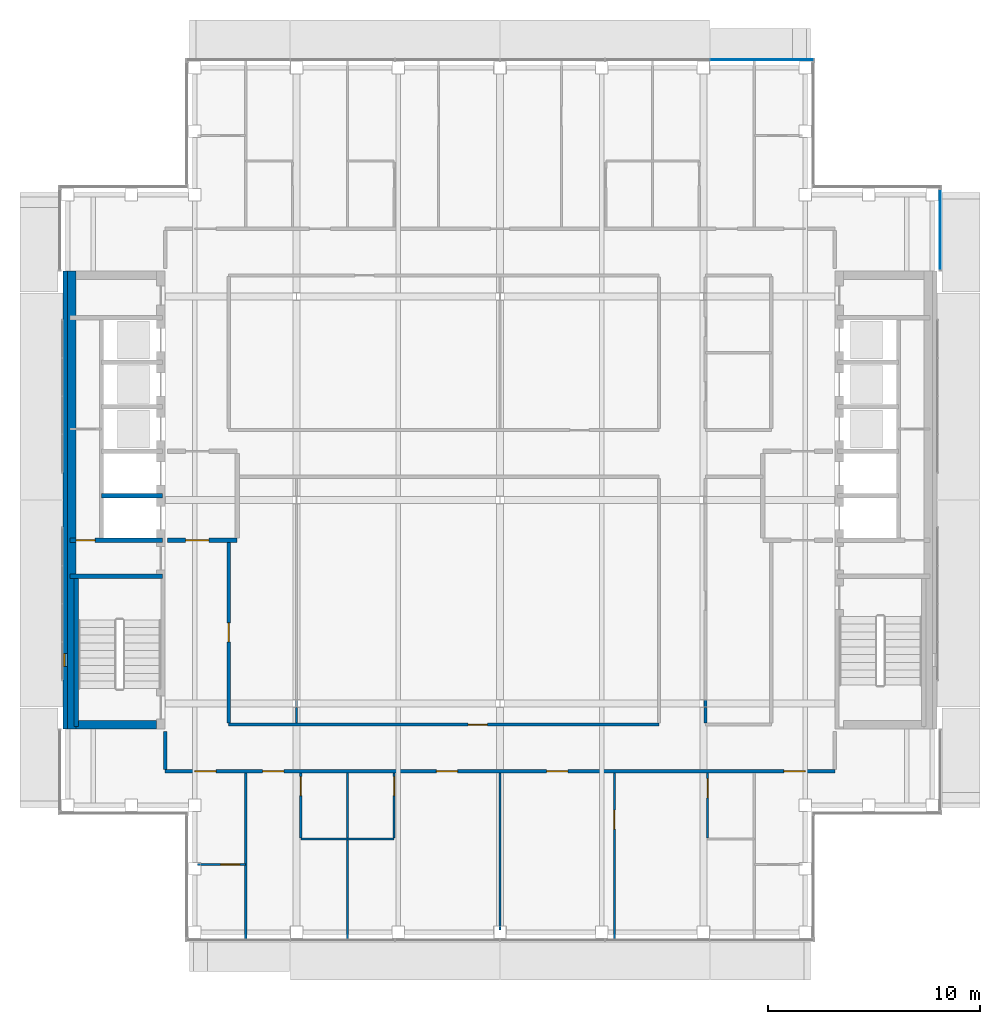
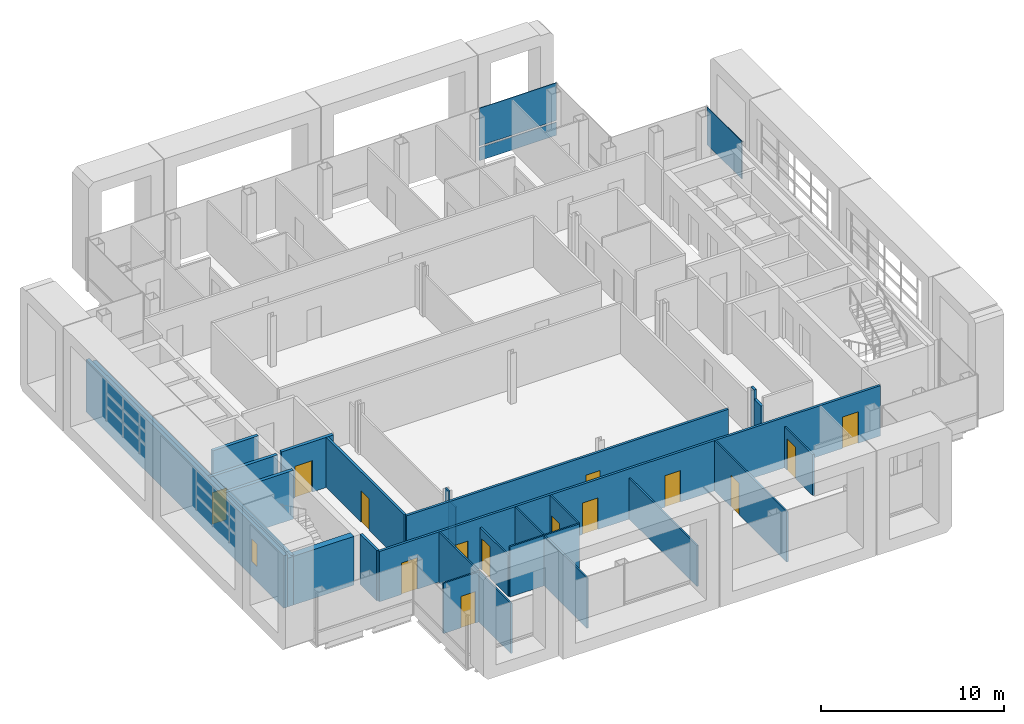
# One storey, part 9 of 21: 26 walls, 14 doors, 3 plates, 1 window, 15 openings, 2 elements without a shape of their own.
"""IFC4 building model written with IfcOpenShell, lengths in metres."""

from ifc_helpers import new_model, si_unit, direction, frame, frame_2d, origin, origin_2d, place, context, subcontext, project, spatial, rectangle, extrude, material, layer, layer_set, type_object, element, fill, aggregate, save


model = new_model("IFC4")

# Units and contexts
model_context = context("Model", 3, precision=1e-05, world=origin(), true_north=direction((0.0, 1.0)))
body_context = subcontext(model_context, "Body", "Model", "MODEL_VIEW")
ifc_project = project(units=[si_unit("LENGTHUNIT", "METRE"), si_unit("AREAUNIT", "SQUARE_METRE"), si_unit("VOLUMEUNIT", "CUBIC_METRE"), si_unit("PLANEANGLEUNIT", "RADIAN"), si_unit("MASSUNIT", "GRAM", prefix="KILO")], contexts=[model_context])

# Site, building, storey
site_placement = place(None, origin())
site = spatial("IfcSite", under=ifc_project, at=site_placement, CompositionType="ELEMENT")
building_placement = place(site_placement, origin())
building = spatial("IfcBuilding", under=site, at=building_placement, Name="Cobrizo Arcos Hotel Tower", CompositionType="ELEMENT")
storey_placement = place(building_placement, frame((0.0, 0.0, 248.0)))
storey = spatial("IfcBuildingStorey", under=building, at=storey_placement, Name="L65", CompositionType="ELEMENT", Elevation=248.0)

# Curtain wall, plate
ifc_material_1 = material(Name="Aluminium 6063-T6 anodised bronze", Category="aluminium")
curtain_wall_type = type_object("IfcCurtainWallType", Name="CW-A guest facade", PredefinedType="NOTDEFINED", material=ifc_material_1)
curtain_wall_1_placement = place(storey_placement, origin())
curtain_wall_1 = element("IfcCurtainWall", 1, at=curtain_wall_1_placement, inside=storey, type_object=curtain_wall_type, Name="CW-A L65 E face", PredefinedType="NOTDEFINED")
ifc_material_2 = material(Name="Glass clear laminated low-e", Category="glass")
ifc_layer_1 = layer(ifc_material_2, 0.0400390625)
ifc_layer_set_1 = layer_set([ifc_layer_1], Name="CW-A glass panel")
plate_type_1 = type_object("IfcPlateType", Name="CW-A glass panel", PredefinedType="CURTAIN_PANEL", material=ifc_layer_set_1)
plate_1_placement = place(storey_placement, frame((20.77490234375, 12.75, 0.990234375), z_axis=(0.0, 0.0, 1.0), x_axis=(0.0, 1.0, 0.0)))
plate_1 = element("IfcPlate", 2, at=plate_1_placement, type_object=plate_type_1, Name="CW-A glass panel 2069", PredefinedType="CURTAIN_PANEL", context=body_context, shape_type="SweptSolid", body=[
    extrude(rectangle(XDim=3.780029296875, YDim=0.0400390625, at=origin_2d()), origin(), (0.0, 0.0, 1.0), 2.510009765625),
])
aggregate(curtain_wall_1, [plate_1])

# Curtain wall, plates
curtain_wall_2_placement = place(storey_placement, origin())
curtain_wall_2 = element("IfcCurtainWall", 3, at=curtain_wall_2_placement, inside=storey, type_object=curtain_wall_type, Name="CW-A L65 N face", PredefinedType="NOTDEFINED")
plate_2_placement = place(storey_placement, frame((12.360107421875, 20.77490234375, 0.990234375), z_axis=(0.0, 0.0, 1.0), x_axis=(-1.0, 0.0, 0.0)))
plate_2 = element("IfcPlate", 4, at=plate_2_placement, type_object=plate_type_1, Name="CW-A glass panel 2072", PredefinedType="CURTAIN_PANEL", context=body_context, shape_type="SweptSolid", body=[
    extrude(rectangle(XDim=4.860107421875, YDim=0.0400390625, at=origin_2d()), origin(), (0.0, 0.0, 1.0), 2.510009765625),
])
ifc_material_3 = material(Name="Aluminium composite panel pale metal", Category="aluminium")
ifc_layer_2 = layer(ifc_material_3, 0.0400390625)
ifc_layer_set_2 = layer_set([ifc_layer_2], Name="CW-A spandrel panel")
plate_type_2 = type_object("IfcPlateType", Name="CW-A spandrel panel", PredefinedType="CURTAIN_PANEL", material=ifc_layer_set_2)
plate_3_placement = place(storey_placement, frame((12.360107421875, 20.77490234375, 0.0), z_axis=(0.0, 0.0, 1.0), x_axis=(-1.0, 0.0, 0.0)))
plate_3 = element("IfcPlate", 5, at=plate_3_placement, type_object=plate_type_2, Name="CW-A spandrel panel 2072", PredefinedType="CURTAIN_PANEL", context=body_context, shape_type="SweptSolid", body=[
    extrude(rectangle(XDim=4.860107421875, YDim=0.0400390625, at=origin_2d()), origin(), (0.0, 0.0, 1.0), 0.8701171875),
])
aggregate(curtain_wall_2, [plate_3, plate_2])

# Wall, openings, doors
ifc_material_4 = material(Name="Gypsum board partition")
ifc_layer_3 = layer(ifc_material_4, 0.14990234375)
ifc_layer_set_3 = layer_set([ifc_layer_3], Name="Corridor wall EI 60 150")
wall_type_1 = type_object("IfcWallType", Name="Corridor wall EI 60 150", PredefinedType="PARTITIONING", material=ifc_layer_set_3)
wall_1_placement = place(storey_placement, frame((-15.800048828125, -12.800048828125, 0.0), z_axis=(0.0, 0.0, 1.0), x_axis=(1.0, 0.0, 0.0)))
wall_1 = element("IfcWall", 6, at=wall_1_placement, inside=storey, type_object=wall_type_1, Name="Partition 005", PredefinedType="PARTITIONING", context=body_context, shape_type="SweptSolid", body=[
    extrude(rectangle(XDim=31.60009765625, YDim=0.14990234375, at=frame_2d((15.800048828125, 0.0))), origin(), (0.0, 0.0, 1.0), 3.35009765625),
])
opening_1_placement = place(wall_1_placement, frame((4.60009765625, 0.0, 0.0)))
opening_1 = element("IfcOpeningElement", 7, at=opening_1_placement, cuts=wall_1, Name="Opening GD-03", PredefinedType="OPENING", context=body_context, shape_type="SweptSolid", body=[
    extrude(rectangle(XDim=1.0, YDim=2.10009765625, at=frame_2d((0.5, 1.050048828125))), frame((0.0, 0.0869140625, 0.0), z_axis=(0.0, -1.0, 0.0), x_axis=(1.0, 0.0, 0.0)), (0.0, 0.0, 1.0), 0.173828125),
])
opening_2_placement = place(wall_1_placement, frame((12.800048828125, 0.0, 0.0)))
opening_2 = element("IfcOpeningElement", 8, at=opening_2_placement, cuts=wall_1, Name="Opening GD-04", PredefinedType="OPENING", context=body_context, shape_type="SweptSolid", body=[
    extrude(rectangle(XDim=1.0, YDim=2.10009765625, at=frame_2d((0.5, 1.050048828125))), frame((0.0, 0.0869140625, 0.0), z_axis=(0.0, -1.0, 0.0), x_axis=(1.0, 0.0, 0.0)), (0.0, 0.0, 1.0), 0.173828125),
])
opening_3_placement = place(wall_1_placement, frame((18.0, 0.0, 0.0)))
opening_3 = element("IfcOpeningElement", 9, at=opening_3_placement, cuts=wall_1, Name="Opening GD-05", PredefinedType="OPENING", context=body_context, shape_type="SweptSolid", body=[
    extrude(rectangle(XDim=1.0, YDim=2.10009765625, at=frame_2d((0.5, 1.050048828125))), frame((0.0, 0.0869140625, 0.0), z_axis=(0.0, -1.0, 0.0), x_axis=(1.0, 0.0, 0.0)), (0.0, 0.0, 1.0), 0.173828125),
])
opening_4_placement = place(wall_1_placement, frame((1.39990234375, 0.0, 0.0)))
opening_4 = element("IfcOpeningElement", 10, at=opening_4_placement, cuts=wall_1, Name="Opening GD-06", PredefinedType="OPENING", context=body_context, shape_type="SweptSolid", body=[
    extrude(rectangle(XDim=1.0, YDim=2.10009765625, at=frame_2d((0.5, 1.050048828125))), frame((0.0, 0.0869140625, 0.0), z_axis=(0.0, -1.0, 0.0), x_axis=(1.0, 0.0, 0.0)), (0.0, 0.0, 1.0), 0.173828125),
])
opening_5_placement = place(wall_1_placement, frame((29.199951171875, 0.0, 0.0)))
opening_5 = element("IfcOpeningElement", 11, at=opening_5_placement, cuts=wall_1, Name="Opening GD-08", PredefinedType="OPENING", context=body_context, shape_type="SweptSolid", body=[
    extrude(rectangle(XDim=1.0, YDim=2.10009765625, at=frame_2d((0.5, 1.050048828125))), frame((0.0, 0.0869140625, 0.0), z_axis=(0.0, -1.0, 0.0), x_axis=(1.0, 0.0, 0.0)), (0.0, 0.0, 1.0), 0.173828125),
])
ifc_material_5 = material(Name="Timber door leaf", Category="wood")
door_type_1 = type_object("IfcDoorType", Name="Guest room door FD30S 1000x2100", OperationType="SINGLE_SWING_LEFT", PredefinedType="DOOR", material=ifc_material_5)
door_1_placement = place(opening_1_placement, origin())
door_1 = element("IfcDoor", 12, at=door_1_placement, inside=storey, type_object=door_type_1, Name="Door GD-03", OperationType="SINGLE_SWING_LEFT", OverallHeight=2.10009765625, OverallWidth=1.0, PredefinedType="DOOR", context=body_context, shape_type="SweptSolid", body=[
    extrude(rectangle(XDim=1.0, YDim=2.10009765625, at=frame_2d((0.5, 1.050048828125))), frame((0.0, 0.02490234375, 0.0), z_axis=(0.0, -1.0, 0.0), x_axis=(1.0, 0.0, 0.0)), (0.0, 0.0, 1.0), 0.050048828125),
])
fill(opening_1, door_1)
door_2_placement = place(opening_2_placement, origin())
door_2 = element("IfcDoor", 13, at=door_2_placement, inside=storey, type_object=door_type_1, Name="Door GD-04", OperationType="SINGLE_SWING_LEFT", OverallHeight=2.10009765625, OverallWidth=1.0, PredefinedType="DOOR", context=body_context, shape_type="SweptSolid", body=[
    extrude(rectangle(XDim=1.0, YDim=2.10009765625, at=frame_2d((0.5, 1.050048828125))), frame((0.0, 0.02490234375, 0.0), z_axis=(0.0, -1.0, 0.0), x_axis=(1.0, 0.0, 0.0)), (0.0, 0.0, 1.0), 0.050048828125),
])
fill(opening_2, door_2)
door_3_placement = place(opening_3_placement, origin())
door_3 = element("IfcDoor", 14, at=door_3_placement, inside=storey, type_object=door_type_1, Name="Door GD-05", OperationType="SINGLE_SWING_RIGHT", OverallHeight=2.10009765625, OverallWidth=1.0, PredefinedType="DOOR", context=body_context, shape_type="SweptSolid", body=[
    extrude(rectangle(XDim=1.0, YDim=2.10009765625, at=frame_2d((0.5, 1.050048828125))), frame((0.0, 0.02490234375, 0.0), z_axis=(0.0, -1.0, 0.0), x_axis=(1.0, 0.0, 0.0)), (0.0, 0.0, 1.0), 0.050048828125),
])
fill(opening_3, door_3)
door_4_placement = place(opening_4_placement, origin())
door_4 = element("IfcDoor", 15, at=door_4_placement, inside=storey, type_object=door_type_1, Name="Door GD-06", OperationType="SINGLE_SWING_LEFT", OverallHeight=2.10009765625, OverallWidth=1.0, PredefinedType="DOOR", context=body_context, shape_type="SweptSolid", body=[
    extrude(rectangle(XDim=1.0, YDim=2.10009765625, at=frame_2d((0.5, 1.050048828125))), frame((0.0, 0.02490234375, 0.0), z_axis=(0.0, -1.0, 0.0), x_axis=(1.0, 0.0, 0.0)), (0.0, 0.0, 1.0), 0.050048828125),
])
fill(opening_4, door_4)
door_5_placement = place(opening_5_placement, origin())
door_5 = element("IfcDoor", 16, at=door_5_placement, inside=storey, type_object=door_type_1, Name="Door GD-08", OperationType="SINGLE_SWING_LEFT", OverallHeight=2.10009765625, OverallWidth=1.0, PredefinedType="DOOR", context=body_context, shape_type="SweptSolid", body=[
    extrude(rectangle(XDim=1.0, YDim=2.10009765625, at=frame_2d((0.5, 1.050048828125))), frame((0.0, 0.02490234375, 0.0), z_axis=(0.0, -1.0, 0.0), x_axis=(1.0, 0.0, 0.0)), (0.0, 0.0, 1.0), 0.050048828125),
])
fill(opening_5, door_5)

# Wall, opening, door
wall_2_placement = place(storey_placement, frame((-12.800048828125, -10.60009765625, 0.0), z_axis=(0.0, 0.0, 1.0), x_axis=(1.0, 0.0, 0.0)))
wall_2 = element("IfcWall", 17, at=wall_2_placement, inside=storey, type_object=wall_type_1, Name="Partition 006", PredefinedType="PARTITIONING", context=body_context, shape_type="SweptSolid", body=[
    extrude(rectangle(XDim=20.300048828125, YDim=0.14990234375, at=frame_2d((10.14990234375, 0.0))), origin(), (0.0, 0.0, 1.0), 3.35009765625),
])
opening_6_placement = place(wall_2_placement, frame((11.300048828125, 0.0, 0.0)))
opening_6 = element("IfcOpeningElement", 18, at=opening_6_placement, cuts=wall_2, Name="Opening RD-15", PredefinedType="OPENING", context=body_context, shape_type="SweptSolid", body=[
    extrude(rectangle(XDim=0.89990234375, YDim=2.10009765625, at=frame_2d((0.449951171875, 1.050048828125))), frame((0.0, 0.0869140625, 0.0), z_axis=(0.0, -1.0, 0.0), x_axis=(1.0, 0.0, 0.0)), (0.0, 0.0, 1.0), 0.173828125),
])
door_type_2 = type_object("IfcDoorType", Name="Room door FD30 900x2100", OperationType="SINGLE_SWING_LEFT", PredefinedType="DOOR", material=ifc_material_5)
door_6_placement = place(opening_6_placement, origin())
door_6 = element("IfcDoor", 19, at=door_6_placement, inside=storey, type_object=door_type_2, Name="Door RD-15", OperationType="SINGLE_SWING_RIGHT", OverallHeight=2.10009765625, OverallWidth=0.89990234375, PredefinedType="DOOR", context=body_context, shape_type="SweptSolid", body=[
    extrude(rectangle(XDim=0.89990234375, YDim=2.10009765625, at=frame_2d((0.449951171875, 1.050048828125))), frame((0.0, 0.02490234375, 0.0), z_axis=(0.0, -1.0, 0.0), x_axis=(1.0, 0.0, 0.0)), (0.0, 0.0, 1.0), 0.050048828125),
])
fill(opening_6, door_6)

# Wall
wall_3_placement = place(storey_placement, frame((-15.800048828125, -12.72509765625, 0.0), z_axis=(0.0, 0.0, 1.0), x_axis=(0.0, 1.0, 0.0)))
element("IfcWall", 20, at=wall_3_placement, inside=storey, type_object=wall_type_1, Name="Partition 043", PredefinedType="PARTITIONING", context=body_context, shape_type="SweptSolid", body=[
    extrude(rectangle(XDim=1.80517578125, YDim=0.14990234375, at=frame_2d((0.902587890625, 0.0))), origin(), (0.0, 0.0, 1.0), 3.35009765625),
])

# Wall, opening, door
wall_4_placement = place(storey_placement, frame((-12.800048828125, -10.52490234375, 0.0), z_axis=(0.0, 0.0, 1.0), x_axis=(0.0, 1.0, 0.0)))
wall_4 = element("IfcWall", 21, at=wall_4_placement, inside=storey, type_object=wall_type_1, Name="Partition 045", PredefinedType="PARTITIONING", context=body_context, shape_type="SweptSolid", body=[
    extrude(rectangle(XDim=8.52490234375, YDim=0.14990234375, at=frame_2d((4.262451171875, 0.0))), origin(), (0.0, 0.0, 1.0), 3.35009765625),
])
opening_7_placement = place(wall_4_placement, frame((3.824951171875, 0.0, 0.0)))
opening_7 = element("IfcOpeningElement", 22, at=opening_7_placement, cuts=wall_4, Name="Opening RD-12", PredefinedType="OPENING", context=body_context, shape_type="SweptSolid", body=[
    extrude(rectangle(XDim=0.89990234375, YDim=2.10009765625, at=frame_2d((0.449951171875, 1.050048828125))), frame((0.0, 0.0869140625, 0.0), z_axis=(0.0, -1.0, 0.0), x_axis=(1.0, 0.0, 0.0)), (0.0, 0.0, 1.0), 0.173828125),
])
door_7_placement = place(opening_7_placement, origin())
door_7 = element("IfcDoor", 23, at=door_7_placement, inside=storey, type_object=door_type_2, Name="Door RD-12", OperationType="SINGLE_SWING_RIGHT", OverallHeight=2.10009765625, OverallWidth=0.89990234375, PredefinedType="DOOR", context=body_context, shape_type="SweptSolid", body=[
    extrude(rectangle(XDim=0.89990234375, YDim=2.10009765625, at=frame_2d((0.449951171875, 1.050048828125))), frame((0.0, 0.02490234375, 0.0), z_axis=(0.0, -1.0, 0.0), x_axis=(1.0, 0.0, 0.0)), (0.0, 0.0, 1.0), 0.050048828125),
])
fill(opening_7, door_7)

# Walls
wall_5_placement = place(storey_placement, frame((9.699951171875, -10.52490234375, 0.0), z_axis=(0.0, 0.0, 1.0), x_axis=(0.0, 1.0, 0.0)))
element("IfcWall", 24, at=wall_5_placement, inside=storey, type_object=wall_type_1, Name="Partition 075", PredefinedType="PARTITIONING", context=body_context, shape_type="SweptSolid", body=[
    extrude(rectangle(XDim=0.740966796875, YDim=0.14990234375, at=frame_2d((0.37060546875, 0.0))), origin(), (0.0, 0.0, 1.0), 2.72802734375),
])
wall_6_placement = place(storey_placement, frame((9.699951171875, -9.783935546875, 0.0), z_axis=(0.0, 0.0, 1.0), x_axis=(0.0, 1.0, 0.0)))
element("IfcWall", 25, at=wall_6_placement, inside=storey, type_object=wall_type_1, Name="Partition 076", PredefinedType="PARTITIONING", context=body_context, shape_type="SweptSolid", body=[
    extrude(rectangle(XDim=0.367919921875, YDim=0.14990234375, at=frame_2d((0.18408203125, 0.0))), origin(), (0.0, 0.0, 1.0), 3.35009765625),
])

# Wall, opening, window
ifc_layer_4 = layer(ifc_material_3, 0.22509765625)
ifc_layer_set_4 = layer_set([ifc_layer_4], Name="EW-1 insulated panel wall 225")
wall_type_2 = type_object("IfcWallType", Name="EW-1 insulated panel wall 225", PredefinedType="SOLIDWALL", material=ifc_layer_set_4)
wall_7_placement = place(storey_placement, frame((-20.512451171875, 10.800048828125, 0.0), z_axis=(0.0, 0.0, 1.0), x_axis=(0.0, -1.0, 0.0)))
wall_7 = element("IfcWall", 26, at=wall_7_placement, inside=storey, type_object=wall_type_2, Name="Core face wall L65 W", PredefinedType="SOLIDWALL", context=body_context, shape_type="SweptSolid", body=[
    extrude(rectangle(XDim=21.60009765625, YDim=0.22509765625, at=frame_2d((10.800048828125, 0.0))), origin(), (0.0, 0.0, 1.0), 3.5),
])
opening_8_placement = place(wall_7_placement, frame((18.050048828125, 0.0, 1.0)))
opening_8 = element("IfcOpeningElement", 27, at=opening_8_placement, cuts=wall_7, Name="Opening W-150", PredefinedType="OPENING", context=body_context, shape_type="SweptSolid", body=[
    extrude(rectangle(XDim=0.60009765625, YDim=1.5, at=frame_2d((0.300048828125, 0.75))), frame((0.0, 0.12451171875, 0.0), z_axis=(0.0, -1.0, 0.0), x_axis=(1.0, 0.0, 0.0)), (0.0, 0.0, 1.0), 0.2490234375),
])
ifc_material_6 = material(Name="Aluminium 6063-T6 and clear laminated glass", Category="aluminium")
window_type = type_object("IfcWindowType", Name="W-C1 core stair slot window 600x1500", PartitioningType="SINGLE_PANEL", PredefinedType="WINDOW", material=ifc_material_6)
window_placement = place(opening_8_placement, origin())
window = element("IfcWindow", 28, at=window_placement, inside=storey, type_object=window_type, Name="Core face wall L65 W window W-150", OverallHeight=1.5, OverallWidth=0.60009765625, PartitioningType="SINGLE_PANEL", PredefinedType="WINDOW", context=body_context, shape_type="SweptSolid", body=[
    extrude(rectangle(XDim=0.60009765625, YDim=1.5, at=frame_2d((0.300048828125, 0.75))), frame((0.0, -0.0224609375, 0.0), z_axis=(0.0, -1.0, 0.0), x_axis=(1.0, 0.0, 0.0)), (0.0, 0.0, 1.0), 0.06005859375),
])
fill(opening_8, window)

# Wall, opening, door
ifc_layer_5 = layer(ifc_material_4, 0.10009765625)
ifc_layer_set_5 = layer_set([ifc_layer_5], Name="Partition EI 30 100")
wall_type_3 = type_object("IfcWallType", Name="Partition EI 30 100", PredefinedType="PARTITIONING", material=ifc_layer_set_5)
wall_8_placement = place(storey_placement, frame((-14.280029296875, -17.199951171875, 0.0), z_axis=(0.0, 0.0, 1.0), x_axis=(1.0, 0.0, 0.0)))
wall_8 = element("IfcWall", 29, at=wall_8_placement, inside=storey, type_object=wall_type_3, Name="Partition 001", PredefinedType="PARTITIONING", context=body_context, shape_type="SweptSolid", body=[
    extrude(rectangle(XDim=2.280029296875, YDim=0.10009765625, at=frame_2d((1.14013671875, 0.0))), origin(), (0.0, 0.0, 1.0), 3.35009765625),
])
opening_9_placement = place(wall_8_placement, frame((1.110107421875, 0.0, 0.0)))
opening_9 = element("IfcOpeningElement", 30, at=opening_9_placement, cuts=wall_8, Name="Opening ED-08", PredefinedType="OPENING", context=body_context, shape_type="SweptSolid", body=[
    extrude(rectangle(XDim=0.89990234375, YDim=2.10009765625, at=frame_2d((0.449951171875, 1.050048828125))), frame((0.0, 0.06201171875, 0.0), z_axis=(0.0, -1.0, 0.0), x_axis=(1.0, 0.0, 0.0)), (0.0, 0.0, 1.0), 0.1240234375),
])
door_type_3 = type_object("IfcDoorType", Name="En-suite door 900x2100", OperationType="SINGLE_SWING_LEFT", PredefinedType="DOOR", material=ifc_material_5)
door_8_placement = place(opening_9_placement, origin())
door_8 = element("IfcDoor", 31, at=door_8_placement, inside=storey, type_object=door_type_3, Name="Door ED-08", OperationType="SINGLE_SWING_RIGHT", OverallHeight=2.10009765625, OverallWidth=0.89990234375, PredefinedType="DOOR", context=body_context, shape_type="SweptSolid", body=[
    extrude(rectangle(XDim=0.89990234375, YDim=2.10009765625, at=frame_2d((0.449951171875, 1.050048828125))), frame((0.0, 0.02490234375, 0.0), z_axis=(0.0, -1.0, 0.0), x_axis=(1.0, 0.0, 0.0)), (0.0, 0.0, 1.0), 0.050048828125),
])
fill(opening_9, door_8)

# Walls
wall_9_placement = place(storey_placement, frame((-9.39990234375, -16.0, 0.0), z_axis=(0.0, 0.0, 1.0), x_axis=(1.0, 0.0, 0.0)))
element("IfcWall", 32, at=wall_9_placement, inside=storey, type_object=wall_type_3, Name="Partition 003", PredefinedType="PARTITIONING", context=body_context, shape_type="SweptSolid", body=[
    extrude(rectangle(XDim=4.39990234375, YDim=0.10009765625, at=frame_2d((2.199951171875, 0.0))), origin(), (0.0, 0.0, 1.0), 3.35009765625),
])
wall_10_placement = place(storey_placement, frame((-12.0, -20.72998046875, 0.0), z_axis=(0.0, 0.0, 1.0), x_axis=(0.0, 1.0, 0.0)))
element("IfcWall", 33, at=wall_10_placement, inside=storey, type_object=wall_type_3, Name="Partition 048", PredefinedType="PARTITIONING", context=body_context, shape_type="SweptSolid", body=[
    extrude(rectangle(XDim=7.85498046875, YDim=0.10009765625, at=frame_2d((3.927490234375, 0.0))), origin(), (0.0, 0.0, 1.0), 3.35009765625),
])
wall_11_placement = place(storey_placement, frame((-9.60009765625, -10.52490234375, 0.0), z_axis=(0.0, 0.0, 1.0), x_axis=(0.0, 1.0, 0.0)))
element("IfcWall", 34, at=wall_11_placement, inside=storey, type_object=wall_type_3, Name="Partition 051", PredefinedType="PARTITIONING", context=body_context, shape_type="SweptSolid", body=[
    extrude(rectangle(XDim=0.740966796875, YDim=0.10009765625, at=frame_2d((0.37060546875, 0.0))), origin(), (0.0, 0.0, 1.0), 2.72802734375),
])
wall_12_placement = place(storey_placement, frame((-9.60009765625, -9.783935546875, 0.0), z_axis=(0.0, 0.0, 1.0), x_axis=(0.0, 1.0, 0.0)))
element("IfcWall", 35, at=wall_12_placement, inside=storey, type_object=wall_type_3, Name="Partition 052", PredefinedType="PARTITIONING", context=body_context, shape_type="SweptSolid", body=[
    extrude(rectangle(XDim=0.367919921875, YDim=0.10009765625, at=frame_2d((0.18408203125, 0.0))), origin(), (0.0, 0.0, 1.0), 3.35009765625),
])

# Wall, opening, door
wall_13_placement = place(storey_placement, frame((-9.39990234375, -15.949951171875, 0.0), z_axis=(0.0, 0.0, 1.0), x_axis=(0.0, 1.0, 0.0)))
wall_13 = element("IfcWall", 36, at=wall_13_placement, inside=storey, type_object=wall_type_3, Name="Partition 056", PredefinedType="PARTITIONING", context=body_context, shape_type="SweptSolid", body=[
    extrude(rectangle(XDim=3.074951171875, YDim=0.10009765625, at=frame_2d((1.53759765625, 0.0))), origin(), (0.0, 0.0, 1.0), 2.72802734375),
])
opening_10_placement = place(wall_13_placement, frame((1.99609375, 0.0, 0.0)))
opening_10 = element("IfcOpeningElement", 37, at=opening_10_placement, cuts=wall_13, Name="Opening ED-05", PredefinedType="OPENING", context=body_context, shape_type="SweptSolid", body=[
    extrude(rectangle(XDim=0.89990234375, YDim=2.10009765625, at=frame_2d((0.449951171875, 1.050048828125))), frame((0.0, 0.06201171875, 0.0), z_axis=(0.0, -1.0, 0.0), x_axis=(1.0, 0.0, 0.0)), (0.0, 0.0, 1.0), 0.1240234375),
])
door_9_placement = place(opening_10_placement, origin())
door_9 = element("IfcDoor", 38, at=door_9_placement, inside=storey, type_object=door_type_3, Name="Door ED-05", OperationType="SINGLE_SWING_LEFT", OverallHeight=2.10009765625, OverallWidth=0.89990234375, PredefinedType="DOOR", context=body_context, shape_type="SweptSolid", body=[
    extrude(rectangle(XDim=0.89990234375, YDim=2.10009765625, at=frame_2d((0.449951171875, 1.050048828125))), frame((0.0, 0.02490234375, 0.0), z_axis=(0.0, -1.0, 0.0), x_axis=(1.0, 0.0, 0.0)), (0.0, 0.0, 1.0), 0.050048828125),
])
fill(opening_10, door_9)

# Walls
wall_14_placement = place(storey_placement, frame((-7.199951171875, -20.72998046875, 0.0), z_axis=(0.0, 0.0, 1.0), x_axis=(0.0, 1.0, 0.0)))
element("IfcWall", 39, at=wall_14_placement, inside=storey, type_object=wall_type_3, Name="Partition 057", PredefinedType="PARTITIONING", context=body_context, shape_type="SweptSolid", body=[
    extrude(rectangle(XDim=4.679931640625, YDim=0.10009765625, at=frame_2d((2.33984375, 0.0))), origin(), (0.0, 0.0, 1.0), 3.35009765625),
])
wall_15_placement = place(storey_placement, frame((-7.199951171875, -15.949951171875, 0.0), z_axis=(0.0, 0.0, 1.0), x_axis=(0.0, 1.0, 0.0)))
element("IfcWall", 40, at=wall_15_placement, inside=storey, type_object=wall_type_3, Name="Partition 058", PredefinedType="PARTITIONING", context=body_context, shape_type="SweptSolid", body=[
    extrude(rectangle(XDim=3.074951171875, YDim=0.10009765625, at=frame_2d((1.53759765625, 0.0))), origin(), (0.0, 0.0, 1.0), 3.35009765625),
])

# Wall, opening, door
wall_16_placement = place(storey_placement, frame((-5.0, -15.949951171875, 0.0), z_axis=(0.0, 0.0, 1.0), x_axis=(0.0, 1.0, 0.0)))
wall_16 = element("IfcWall", 41, at=wall_16_placement, inside=storey, type_object=wall_type_3, Name="Partition 060", PredefinedType="PARTITIONING", context=body_context, shape_type="SweptSolid", body=[
    extrude(rectangle(XDim=3.074951171875, YDim=0.10009765625, at=frame_2d((1.53759765625, 0.0))), origin(), (0.0, 0.0, 1.0), 3.35009765625),
])
opening_11_placement = place(wall_16_placement, frame((1.99609375, 0.0, 0.0)))
opening_11 = element("IfcOpeningElement", 42, at=opening_11_placement, cuts=wall_16, Name="Opening ED-06", PredefinedType="OPENING", context=body_context, shape_type="SweptSolid", body=[
    extrude(rectangle(XDim=0.89990234375, YDim=2.10009765625, at=frame_2d((0.449951171875, 1.050048828125))), frame((0.0, 0.06201171875, 0.0), z_axis=(0.0, -1.0, 0.0), x_axis=(1.0, 0.0, 0.0)), (0.0, 0.0, 1.0), 0.1240234375),
])
door_10_placement = place(opening_11_placement, origin())
door_10 = element("IfcDoor", 43, at=door_10_placement, inside=storey, type_object=door_type_3, Name="Door ED-06", OperationType="SINGLE_SWING_LEFT", OverallHeight=2.10009765625, OverallWidth=0.89990234375, PredefinedType="DOOR", context=body_context, shape_type="SweptSolid", body=[
    extrude(rectangle(XDim=0.89990234375, YDim=2.10009765625, at=frame_2d((0.449951171875, 1.050048828125))), frame((0.0, 0.02490234375, 0.0), z_axis=(0.0, -1.0, 0.0), x_axis=(1.0, 0.0, 0.0)), (0.0, 0.0, 1.0), 0.050048828125),
])
fill(opening_11, door_10)

# Wall
wall_17_placement = place(storey_placement, frame((0.0, -20.280029296875, 0.0), z_axis=(0.0, 0.0, 1.0), x_axis=(0.0, 1.0, 0.0)))
element("IfcWall", 44, at=wall_17_placement, inside=storey, type_object=wall_type_3, Name="Partition 063", PredefinedType="PARTITIONING", context=body_context, shape_type="SweptSolid", body=[
    extrude(rectangle(XDim=7.405029296875, YDim=0.10009765625, at=frame_2d((3.70263671875, 0.0))), origin(), (0.0, 0.0, 1.0), 2.72802734375),
])

# Wall, opening, door
wall_18_placement = place(storey_placement, frame((5.39990234375, -20.72998046875, 0.0), z_axis=(0.0, 0.0, 1.0), x_axis=(0.0, 1.0, 0.0)))
wall_18 = element("IfcWall", 45, at=wall_18_placement, inside=storey, type_object=wall_type_3, Name="Partition 069", PredefinedType="PARTITIONING", context=body_context, shape_type="SweptSolid", body=[
    extrude(rectangle(XDim=7.85498046875, YDim=0.10009765625, at=frame_2d((3.927490234375, 0.0))), origin(), (0.0, 0.0, 1.0), 3.35009765625),
])
opening_12_placement = place(wall_18_placement, frame((5.199951171875, 0.0, 0.0)))
opening_12 = element("IfcOpeningElement", 46, at=opening_12_placement, cuts=wall_18, Name="Opening RD-10", PredefinedType="OPENING", context=body_context, shape_type="SweptSolid", body=[
    extrude(rectangle(XDim=0.89990234375, YDim=2.10009765625, at=frame_2d((0.449951171875, 1.050048828125))), frame((0.0, 0.06201171875, 0.0), z_axis=(0.0, -1.0, 0.0), x_axis=(1.0, 0.0, 0.0)), (0.0, 0.0, 1.0), 0.1240234375),
])
door_11_placement = place(opening_12_placement, origin())
door_11 = element("IfcDoor", 47, at=door_11_placement, inside=storey, type_object=door_type_2, Name="Door RD-10", OperationType="SINGLE_SWING_RIGHT", OverallHeight=2.10009765625, OverallWidth=0.89990234375, PredefinedType="DOOR", context=body_context, shape_type="SweptSolid", body=[
    extrude(rectangle(XDim=0.89990234375, YDim=2.10009765625, at=frame_2d((0.449951171875, 1.050048828125))), frame((0.0, 0.02490234375, 0.0), z_axis=(0.0, -1.0, 0.0), x_axis=(1.0, 0.0, 0.0)), (0.0, 0.0, 1.0), 0.050048828125),
])
fill(opening_12, door_11)

wall_19_placement = place(storey_placement, frame((9.800048828125, -15.949951171875, 0.0), z_axis=(0.0, 0.0, 1.0), x_axis=(0.0, 1.0, 0.0)))
wall_19 = element("IfcWall", 48, at=wall_19_placement, inside=storey, type_object=wall_type_3, Name="Partition 083", PredefinedType="PARTITIONING", context=body_context, shape_type="SweptSolid", body=[
    extrude(rectangle(XDim=3.074951171875, YDim=0.10009765625, at=frame_2d((1.53759765625, 0.0))), origin(), (0.0, 0.0, 1.0), 2.72802734375),
])
opening_13_placement = place(wall_19_placement, frame((1.89990234375, 0.0, 0.0)))
opening_13 = element("IfcOpeningElement", 49, at=opening_13_placement, cuts=wall_19, Name="Opening ED-07", PredefinedType="OPENING", context=body_context, shape_type="SweptSolid", body=[
    extrude(rectangle(XDim=0.89990234375, YDim=2.10009765625, at=frame_2d((0.449951171875, 1.050048828125))), frame((0.0, 0.06201171875, 0.0), z_axis=(0.0, -1.0, 0.0), x_axis=(1.0, 0.0, 0.0)), (0.0, 0.0, 1.0), 0.1240234375),
])
door_12_placement = place(opening_13_placement, origin())
door_12 = element("IfcDoor", 50, at=door_12_placement, inside=storey, type_object=door_type_3, Name="Door ED-07", OperationType="SINGLE_SWING_LEFT", OverallHeight=2.10009765625, OverallWidth=0.89990234375, PredefinedType="DOOR", context=body_context, shape_type="SweptSolid", body=[
    extrude(rectangle(XDim=0.89990234375, YDim=2.10009765625, at=frame_2d((0.449951171875, 1.050048828125))), frame((0.0, 0.02490234375, 0.0), z_axis=(0.0, -1.0, 0.0), x_axis=(1.0, 0.0, 0.0)), (0.0, 0.0, 1.0), 0.050048828125),
])
fill(opening_13, door_12)

# Walls
ifc_material_7 = material(Name="Concrete f'c 40 MPa", Category="concrete")
ifc_layer_6 = layer(ifc_material_7, 0.39990234375)
ifc_layer_set_6 = layer_set([ifc_layer_6], Name="RC core wall 400 f'c 40")
wall_type_4 = type_object("IfcWallType", Name="RC core wall 400 f'c 40", PredefinedType="SHEAR", material=ifc_layer_set_6)
wall_20_placement = place(storey_placement, frame((-20.199951171875, -10.800048828125, 0.0), z_axis=(0.0, 0.0, 1.0), x_axis=(0.0, 1.0, 0.0)))
element("IfcWall", 51, at=wall_20_placement, inside=storey, type_object=wall_type_4, Name="Core wall CW4, west core, outer face, L65", PredefinedType="SHEAR", context=body_context, shape_type="SweptSolid", body=[
    extrude(rectangle(XDim=21.60009765625, YDim=0.39990234375, at=frame_2d((10.800048828125, 0.0))), origin(), (0.0, 0.0, 1.0), 3.25),
])
wall_21_placement = place(storey_placement, frame((-20.0, -10.60009765625, 0.0), z_axis=(0.0, 0.0, 1.0), x_axis=(1.0, 0.0, 0.0)))
element("IfcWall", 52, at=wall_21_placement, inside=storey, type_object=wall_type_4, Name="Core wall CW4, west core, south end, L65", PredefinedType="SHEAR", context=body_context, shape_type="SweptSolid", body=[
    extrude(rectangle(XDim=3.800048828125, YDim=0.39990234375, at=frame_2d((1.89990234375, 0.0))), origin(), (0.0, 0.0, 1.0), 3.25),
])

# Wall, opening, door
ifc_layer_7 = layer(ifc_material_4, 0.199951171875)
ifc_layer_set_7 = layer_set([ifc_layer_7], Name="Shaft wall EI 120 200")
wall_type_5 = type_object("IfcWallType", Name="Shaft wall EI 120 200", PredefinedType="PARTITIONING", material=ifc_layer_set_7)
wall_22_placement = place(storey_placement, frame((-20.280029296875, -1.89990234375, 0.0), z_axis=(0.0, 0.0, 1.0), x_axis=(1.0, 0.0, 0.0)))
wall_22 = element("IfcWall", 53, at=wall_22_placement, inside=storey, type_object=wall_type_5, Name="Partition 010", PredefinedType="PARTITIONING", context=body_context, shape_type="SweptSolid", body=[
    extrude(rectangle(XDim=4.360107421875, YDim=0.199951171875, at=frame_2d((2.18017578125, 0.0))), origin(), (0.0, 0.0, 1.0), 3.25),
])
opening_14_placement = place(wall_22_placement, frame((0.280029296875, 0.0, 0.0)))
opening_14 = element("IfcOpeningElement", 54, at=opening_14_placement, cuts=wall_22, Name="Opening RD-02", PredefinedType="OPENING", context=body_context, shape_type="SweptSolid", body=[
    extrude(rectangle(XDim=0.89990234375, YDim=2.10009765625, at=frame_2d((0.449951171875, 1.050048828125))), frame((0.0, 0.112060546875, 0.0), z_axis=(0.0, -1.0, 0.0), x_axis=(1.0, 0.0, 0.0)), (0.0, 0.0, 1.0), 0.223876953125),
])
door_13_placement = place(opening_14_placement, origin())
door_13 = element("IfcDoor", 55, at=door_13_placement, inside=storey, type_object=door_type_2, Name="Door RD-02", OperationType="SINGLE_SWING_RIGHT", OverallHeight=2.10009765625, OverallWidth=0.89990234375, PredefinedType="DOOR", context=body_context, shape_type="SweptSolid", body=[
    extrude(rectangle(XDim=0.89990234375, YDim=2.10009765625, at=frame_2d((0.449951171875, 1.050048828125))), frame((0.0, 0.02490234375, 0.0), z_axis=(0.0, -1.0, 0.0), x_axis=(1.0, 0.0, 0.0)), (0.0, 0.0, 1.0), 0.050048828125),
])
fill(opening_14, door_13)

wall_23_placement = place(storey_placement, frame((-15.679931640625, -1.89990234375, 0.0), z_axis=(0.0, 0.0, 1.0), x_axis=(1.0, 0.0, 0.0)))
wall_23 = element("IfcWall", 56, at=wall_23_placement, inside=storey, type_object=wall_type_5, Name="Partition 011", PredefinedType="PARTITIONING", context=body_context, shape_type="SweptSolid", body=[
    extrude(rectangle(XDim=3.280029296875, YDim=0.199951171875, at=frame_2d((1.64013671875, 0.0))), origin(), (0.0, 0.0, 1.0), 3.35009765625),
])
opening_15_placement = place(wall_23_placement, frame((0.840087890625, 0.0, 0.0)))
opening_15 = element("IfcOpeningElement", 57, at=opening_15_placement, cuts=wall_23, Name="Opening FD-02", PredefinedType="OPENING", context=body_context, shape_type="SweptSolid", body=[
    extrude(rectangle(XDim=1.10009765625, YDim=2.10009765625, at=frame_2d((0.550048828125, 1.050048828125))), frame((0.0, 0.112060546875, 0.0), z_axis=(0.0, -1.0, 0.0), x_axis=(1.0, 0.0, 0.0)), (0.0, 0.0, 1.0), 0.223876953125),
])
ifc_material_8 = material(Name="Steel door leaf", Category="steel")
door_type_4 = type_object("IfcDoorType", Name="Fire door FD60 1100x2100", OperationType="SINGLE_SWING_LEFT", PredefinedType="DOOR", material=ifc_material_8)
door_14_placement = place(opening_15_placement, origin())
door_14 = element("IfcDoor", 58, at=door_14_placement, inside=storey, type_object=door_type_4, Name="Door FD-02", OperationType="SINGLE_SWING_RIGHT", OverallHeight=2.10009765625, OverallWidth=1.10009765625, PredefinedType="DOOR", context=body_context, shape_type="SweptSolid", body=[
    extrude(rectangle(XDim=1.10009765625, YDim=2.10009765625, at=frame_2d((0.550048828125, 1.050048828125))), frame((0.0, 0.02490234375, 0.0), z_axis=(0.0, -1.0, 0.0), x_axis=(1.0, 0.0, 0.0)), (0.0, 0.0, 1.0), 0.050048828125),
])
fill(opening_15, door_14)

# Walls
wall_24_placement = place(storey_placement, frame((-18.800048828125, 0.199951171875, 0.0), z_axis=(0.0, 0.0, 1.0), x_axis=(1.0, 0.0, 0.0)))
element("IfcWall", 59, at=wall_24_placement, inside=storey, type_object=wall_type_5, Name="Partition 014", PredefinedType="PARTITIONING", context=body_context, shape_type="SweptSolid", body=[
    extrude(rectangle(XDim=2.880126953125, YDim=0.199951171875, at=frame_2d((1.43994140625, 0.0))), origin(), (0.0, 0.0, 1.0), 3.25),
])
ifc_layer_8 = layer(ifc_material_7, 0.199951171875)
ifc_layer_set_8 = layer_set([ifc_layer_8], Name="Stair shaft wall 200")
wall_type_6 = type_object("IfcWallType", Name="Stair shaft wall 200", PredefinedType="SHEAR", material=ifc_layer_set_8)
wall_25_placement = place(storey_placement, frame((-20.280029296875, -3.60009765625, 0.0), z_axis=(0.0, 0.0, 1.0), x_axis=(1.0, 0.0, 0.0)))
element("IfcWall", 60, at=wall_25_placement, inside=storey, type_object=wall_type_6, Name="Stair shaft wall W", PredefinedType="SHEAR", context=body_context, shape_type="SweptSolid", body=[
    extrude(rectangle(XDim=4.360107421875, YDim=0.199951171875, at=frame_2d((2.18017578125, 0.0))), origin(), (0.0, 0.0, 1.0), 3.25),
])
wall_26_placement = place(storey_placement, frame((-20.0, -10.679931640625, 0.0), z_axis=(0.0, 0.0, 1.0), x_axis=(0.0, 1.0, 0.0)))
element("IfcWall", 61, at=wall_26_placement, inside=storey, type_object=wall_type_6, Name="Stair shaft wall W", PredefinedType="SHEAR", context=body_context, shape_type="SweptSolid", body=[
    extrude(rectangle(XDim=6.97998046875, YDim=0.199951171875, at=frame_2d((3.489990234375, 0.0))), origin(), (0.0, 0.0, 1.0), 3.25),
])

save(model, "model.ifc")
